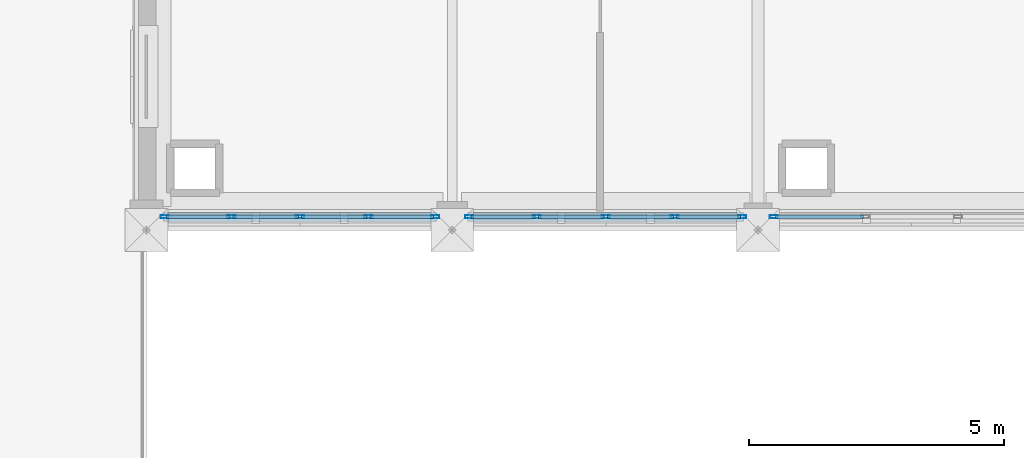
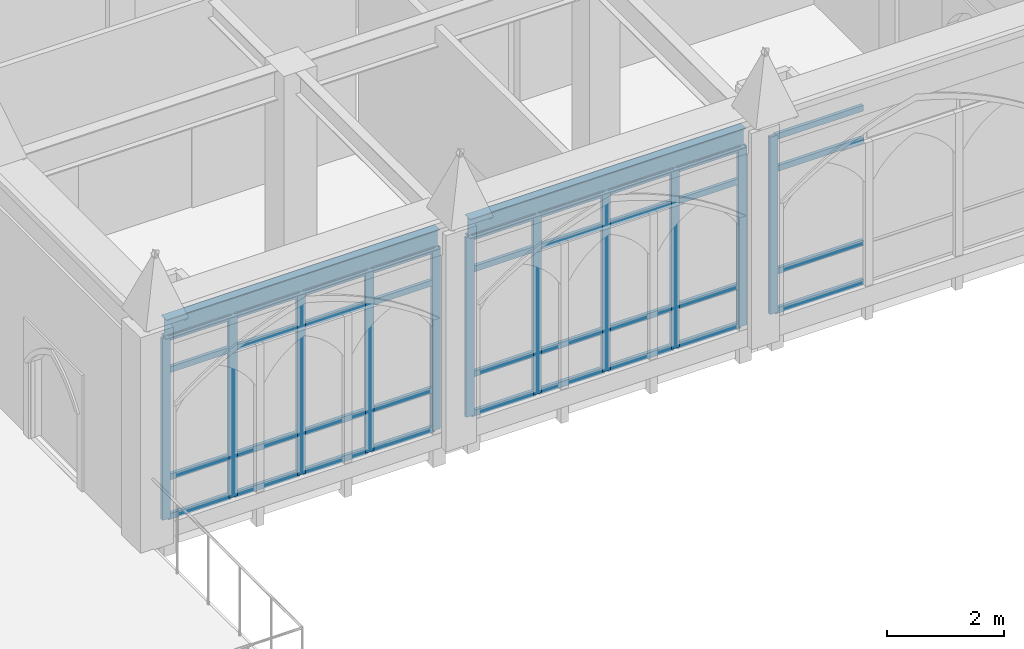
# One storey, part 42 of 143: 47 members, 2 beams, 3 elements without a shape of their own.
"""IFC4 building model written with IfcOpenShell, lengths in metres."""

from ifc_helpers import new_model, si_unit, direction, frame, origin, origin_2d, place, context, subcontext, project, spatial, hollow_rectangle, i_section, extrude, material, layer, layer_set, material_profile, profile_set, type_object, element, aggregate, save


model = new_model("IFC4")

# Units and contexts
model_context = context("Model", 3, precision=1e-05, world=origin(), true_north=direction((0.0, 1.0)))
body_context = subcontext(model_context, "Body", "Model", "MODEL_VIEW")
ifc_project = project(units=[si_unit("LENGTHUNIT", "METRE"), si_unit("AREAUNIT", "SQUARE_METRE"), si_unit("VOLUMEUNIT", "CUBIC_METRE"), si_unit("PLANEANGLEUNIT", "RADIAN"), si_unit("MASSUNIT", "GRAM", prefix="KILO")], contexts=[model_context])

# Site, building, storey
site_placement = place(None, origin())
site = spatial("IfcSite", under=ifc_project, at=site_placement, CompositionType="ELEMENT")
building_placement = place(site_placement, origin())
building = spatial("IfcBuilding", under=site, at=building_placement, Name="Cumevento Cable Car Station", CompositionType="ELEMENT")
storey_placement = place(building_placement, frame((0.0, 0.0, 9.0)))
storey = spatial("IfcBuildingStorey", under=building, at=storey_placement, Name="L03", CompositionType="ELEMENT", Elevation=9.0)

# Curtain wall, members
ifc_material_1 = material(Name="Anodised Bronze Aluminium AW-6063-T6", Category="aluminium")
ifc_layer_1 = layer(ifc_material_1, 0.22607421875)
ifc_layer_set_1 = layer_set([ifc_layer_1], Name="Anodised Bronze Aluminium AW-6063-T6")
curtain_wall_type_1 = type_object("IfcCurtainWallType", Name="Lancet Curtain Wall CW-12 1490", PredefinedType="NOTDEFINED", material=ifc_layer_set_1)
curtain_wall_1_placement = place(storey_placement, origin())
curtain_wall_1 = element("IfcCurtainWall", 1, at=curtain_wall_1_placement, inside=storey, type_object=curtain_wall_type_1, Name="Lancet Curtain Wall CW-12 L03 #123", PredefinedType="NOTDEFINED")
ifc_material_2 = material(Name="Anodised Bronze Aluminium AW-6063-T6", Category="aluminium")
ifc_material_profile_1 = material_profile(ifc_material_2, hollow_rectangle(XDim=0.06494140625, YDim=0.159912109375, WallThickness=0.00390625, at=origin_2d()), Name="ALUM65x160x4")
ifc_profile_set_1 = profile_set([ifc_material_profile_1], Name="Anodised Bronze Aluminium AW-6063-T6")
member_type_1 = type_object("IfcMemberType", Name="Curtain Mullion CWM-01 ALUM65x160x4", PredefinedType="MULLION", material=ifc_profile_set_1)
member_1_placement = place(storey_placement, frame((123.66748046875, 9.5, 0.31005859375), z_axis=(0.0, 0.0, 1.0), x_axis=(0.0, -1.0, 0.0)))
member_1 = element("IfcMember", 2, at=member_1_placement, type_object=member_type_1, Name="CW-12 mullion 1", PredefinedType="MULLION", context=body_context, shape_type="SweptSolid", body=[
    extrude(hollow_rectangle(XDim=0.06494140625, YDim=0.159912109375, WallThickness=0.00390625, at=origin_2d()), origin(), (0.0, 0.0, 1.0), 3.782958984375),
])
member_2_placement = place(storey_placement, frame((122.356201171875, 9.5, 0.31005859375), z_axis=(0.0, 0.0, 1.0), x_axis=(0.0, -1.0, 0.0)))
member_2 = element("IfcMember", 3, at=member_2_placement, type_object=member_type_1, Name="CW-12 mullion 2", PredefinedType="MULLION", context=body_context, shape_type="SweptSolid", body=[
    extrude(hollow_rectangle(XDim=0.06494140625, YDim=0.159912109375, WallThickness=0.00390625, at=origin_2d()), origin(), (0.0, 0.0, 1.0), 3.782958984375),
])
member_3_placement = place(storey_placement, frame((121.012451171875, 9.5, 0.31005859375), z_axis=(0.0, 0.0, 1.0), x_axis=(0.0, -1.0, 0.0)))
member_3 = element("IfcMember", 4, at=member_3_placement, type_object=member_type_1, Name="CW-12 mullion 3", PredefinedType="MULLION", context=body_context, shape_type="SweptSolid", body=[
    extrude(hollow_rectangle(XDim=0.06494140625, YDim=0.159912109375, WallThickness=0.00390625, at=origin_2d()), origin(), (0.0, 0.0, 1.0), 3.782958984375),
])
member_4_placement = place(storey_placement, frame((119.668701171875, 9.5, 0.31005859375), z_axis=(0.0, 0.0, 1.0), x_axis=(0.0, -1.0, 0.0)))
member_4 = element("IfcMember", 5, at=member_4_placement, type_object=member_type_1, Name="CW-12 mullion 4", PredefinedType="MULLION", context=body_context, shape_type="SweptSolid", body=[
    extrude(hollow_rectangle(XDim=0.06494140625, YDim=0.159912109375, WallThickness=0.00390625, at=origin_2d()), origin(), (0.0, 0.0, 1.0), 3.782958984375),
])
member_5_placement = place(storey_placement, frame((118.357421875, 9.5, 0.31005859375), z_axis=(0.0, 0.0, 1.0), x_axis=(0.0, -1.0, 0.0)))
member_5 = element("IfcMember", 6, at=member_5_placement, type_object=member_type_1, Name="CW-12 mullion 5", PredefinedType="MULLION", context=body_context, shape_type="SweptSolid", body=[
    extrude(hollow_rectangle(XDim=0.06494140625, YDim=0.159912109375, WallThickness=0.00390625, at=origin_2d()), origin(), (0.0, 0.0, 1.0), 3.782958984375),
])

ifc_material_3 = material(Name="Anodised Bronze Aluminium AW-6063-T6", Category="aluminium")
ifc_layer_2 = layer(ifc_material_3, 0.23193359375)
ifc_layer_set_2 = layer_set([ifc_layer_2], Name="Anodised Bronze Aluminium AW-6063-T6")
curtain_wall_type_2 = type_object("IfcCurtainWallType", Name="Lancet Curtain Wall CW-13 1530", PredefinedType="NOTDEFINED", material=ifc_layer_set_2)
curtain_wall_2_placement = place(storey_placement, origin())
curtain_wall_2 = element("IfcCurtainWall", 7, at=curtain_wall_2_placement, inside=storey, type_object=curtain_wall_type_2, Name="Lancet Curtain Wall CW-13 L03 #124", PredefinedType="NOTDEFINED")
member_6_placement = place(storey_placement, frame((129.6923828125, 9.5, 0.360107421875), z_axis=(0.0, 0.0, 1.0), x_axis=(0.0, -1.0, 0.0)))
member_6 = element("IfcMember", 8, at=member_6_placement, type_object=member_type_1, Name="CW-13 mullion 1", PredefinedType="MULLION", context=body_context, shape_type="SweptSolid", body=[
    extrude(hollow_rectangle(XDim=0.06494140625, YDim=0.159912109375, WallThickness=0.00390625, at=origin_2d()), origin(), (0.0, 0.0, 1.0), 3.73291015625),
])
member_7_placement = place(storey_placement, frame((128.36865234375, 9.5, 0.360107421875), z_axis=(0.0, 0.0, 1.0), x_axis=(0.0, -1.0, 0.0)))
member_7 = element("IfcMember", 9, at=member_7_placement, type_object=member_type_1, Name="CW-13 mullion 2", PredefinedType="MULLION", context=body_context, shape_type="SweptSolid", body=[
    extrude(hollow_rectangle(XDim=0.06494140625, YDim=0.159912109375, WallThickness=0.00390625, at=origin_2d()), origin(), (0.0, 0.0, 1.0), 3.73291015625),
])
member_8_placement = place(storey_placement, frame((127.012451171875, 9.5, 0.360107421875), z_axis=(0.0, 0.0, 1.0), x_axis=(0.0, -1.0, 0.0)))
member_8 = element("IfcMember", 10, at=member_8_placement, type_object=member_type_1, Name="CW-13 mullion 3", PredefinedType="MULLION", context=body_context, shape_type="SweptSolid", body=[
    extrude(hollow_rectangle(XDim=0.06494140625, YDim=0.159912109375, WallThickness=0.00390625, at=origin_2d()), origin(), (0.0, 0.0, 1.0), 3.73291015625),
])
member_9_placement = place(storey_placement, frame((125.65625, 9.5, 0.360107421875), z_axis=(0.0, 0.0, 1.0), x_axis=(0.0, -1.0, 0.0)))
member_9 = element("IfcMember", 11, at=member_9_placement, type_object=member_type_1, Name="CW-13 mullion 4", PredefinedType="MULLION", context=body_context, shape_type="SweptSolid", body=[
    extrude(hollow_rectangle(XDim=0.06494140625, YDim=0.159912109375, WallThickness=0.00390625, at=origin_2d()), origin(), (0.0, 0.0, 1.0), 3.73291015625),
])
member_10_placement = place(storey_placement, frame((124.33251953125, 9.5, 0.360107421875), z_axis=(0.0, 0.0, 1.0), x_axis=(0.0, -1.0, 0.0)))
member_10 = element("IfcMember", 12, at=member_10_placement, type_object=member_type_1, Name="CW-13 mullion 5", PredefinedType="MULLION", context=body_context, shape_type="SweptSolid", body=[
    extrude(hollow_rectangle(XDim=0.06494140625, YDim=0.159912109375, WallThickness=0.00390625, at=origin_2d()), origin(), (0.0, 0.0, 1.0), 3.73291015625),
])

# Curtain wall, member
ifc_material_4 = material(Name="Anodised Bronze Aluminium AW-6063-T6", Category="aluminium")
ifc_layer_3 = layer(ifc_material_4, 0.238037109375)
ifc_layer_set_3 = layer_set([ifc_layer_3], Name="Anodised Bronze Aluminium AW-6063-T6")
curtain_wall_type_3 = type_object("IfcCurtainWallType", Name="Lancet Curtain Wall CW-14 1570", PredefinedType="NOTDEFINED", material=ifc_layer_set_3)
curtain_wall_3_placement = place(storey_placement, origin())
curtain_wall_3 = element("IfcCurtainWall", 13, at=curtain_wall_3_placement, inside=storey, type_object=curtain_wall_type_3, Name="Lancet Curtain Wall CW-14 L03 #125", PredefinedType="NOTDEFINED")
member_11_placement = place(storey_placement, frame((130.3076171875, 9.5, 0.409912109375), z_axis=(0.0, 0.0, 1.0), x_axis=(0.0, -1.0, 0.0)))
member_11 = element("IfcMember", 14, at=member_11_placement, type_object=member_type_1, Name="CW-14 mullion 4", PredefinedType="MULLION", context=body_context, shape_type="SweptSolid", body=[
    extrude(hollow_rectangle(XDim=0.06494140625, YDim=0.159912109375, WallThickness=0.00390625, at=origin_2d()), origin(), (0.0, 0.0, 1.0), 3.68310546875),
])

# Member
ifc_material_5 = material(Name="Anodised Bronze Aluminium AW-6063-T6", Category="aluminium")
ifc_material_profile_2 = material_profile(ifc_material_5, hollow_rectangle(XDim=0.06494140625, YDim=0.1201171875, WallThickness=0.00390625, at=origin_2d()), Name="ALUT65x120x4")
ifc_profile_set_2 = profile_set([ifc_material_profile_2], Name="Anodised Bronze Aluminium AW-6063-T6")
member_type_2 = type_object("IfcMemberType", Name="Curtain Transom CWT-01 ALUT65x120x4", PredefinedType="USERDEFINED", material=ifc_profile_set_2)
member_12_placement = place(storey_placement, frame((123.635009765625, 9.5, 0.342529296875), z_axis=(-1.0, 0.0, 0.0), x_axis=(0.0, -1.0, 0.0)))
member_12 = element("IfcMember", 15, at=member_12_placement, type_object=member_type_2, Name="CW-12 transom 1.1", ObjectType="TRANSOM", PredefinedType="USERDEFINED", context=body_context, shape_type="SweptSolid", body=[
    extrude(hollow_rectangle(XDim=0.06494140625, YDim=0.1201171875, WallThickness=0.00390625, at=origin_2d()), origin(), (0.0, 0.0, 1.0), 1.246337890625),
])

member_13_placement = place(storey_placement, frame((123.635009765625, 9.5, 1.159912109375), z_axis=(-1.0, 0.0, 0.0), x_axis=(0.0, -1.0, 0.0)))
member_13 = element("IfcMember", 16, at=member_13_placement, type_object=member_type_2, Name="CW-12 transom 1.2", ObjectType="TRANSOM", PredefinedType="USERDEFINED", context=body_context, shape_type="SweptSolid", body=[
    extrude(hollow_rectangle(XDim=0.06494140625, YDim=0.1201171875, WallThickness=0.00390625, at=origin_2d()), origin(), (0.0, 0.0, 1.0), 1.246337890625),
])

member_14_placement = place(storey_placement, frame((123.635009765625, 9.5, 3.39306640625), z_axis=(-1.0, 0.0, 0.0), x_axis=(0.0, -1.0, 0.0)))
member_14 = element("IfcMember", 17, at=member_14_placement, type_object=member_type_2, Name="CW-12 transom 1.3", ObjectType="TRANSOM", PredefinedType="USERDEFINED", context=body_context, shape_type="SweptSolid", body=[
    extrude(hollow_rectangle(XDim=0.06494140625, YDim=0.1201171875, WallThickness=0.00390625, at=origin_2d()), origin(), (0.0, 0.0, 1.0), 1.246337890625),
])

member_15_placement = place(storey_placement, frame((123.635009765625, 9.5, 4.060546875), z_axis=(-1.0, 0.0, 0.0), x_axis=(0.0, -1.0, 0.0)))
member_15 = element("IfcMember", 18, at=member_15_placement, type_object=member_type_2, Name="CW-12 transom 1.4", ObjectType="TRANSOM", PredefinedType="USERDEFINED", context=body_context, shape_type="SweptSolid", body=[
    extrude(hollow_rectangle(XDim=0.06494140625, YDim=0.1201171875, WallThickness=0.00390625, at=origin_2d()), origin(), (0.0, 0.0, 1.0), 1.246337890625),
])

member_16_placement = place(storey_placement, frame((122.32373046875, 9.5, 0.342529296875), z_axis=(-1.0, 0.0, 0.0), x_axis=(0.0, -1.0, 0.0)))
member_16 = element("IfcMember", 19, at=member_16_placement, type_object=member_type_2, Name="CW-12 transom 2.1", ObjectType="TRANSOM", PredefinedType="USERDEFINED", context=body_context, shape_type="SweptSolid", body=[
    extrude(hollow_rectangle(XDim=0.06494140625, YDim=0.1201171875, WallThickness=0.00390625, at=origin_2d()), origin(), (0.0, 0.0, 1.0), 1.27880859375),
])

member_17_placement = place(storey_placement, frame((122.32373046875, 9.5, 1.159912109375), z_axis=(-1.0, 0.0, 0.0), x_axis=(0.0, -1.0, 0.0)))
member_17 = element("IfcMember", 20, at=member_17_placement, type_object=member_type_2, Name="CW-12 transom 2.2", ObjectType="TRANSOM", PredefinedType="USERDEFINED", context=body_context, shape_type="SweptSolid", body=[
    extrude(hollow_rectangle(XDim=0.06494140625, YDim=0.1201171875, WallThickness=0.00390625, at=origin_2d()), origin(), (0.0, 0.0, 1.0), 1.27880859375),
])

member_18_placement = place(storey_placement, frame((122.32373046875, 9.5, 3.39306640625), z_axis=(-1.0, 0.0, 0.0), x_axis=(0.0, -1.0, 0.0)))
member_18 = element("IfcMember", 21, at=member_18_placement, type_object=member_type_2, Name="CW-12 transom 2.3", ObjectType="TRANSOM", PredefinedType="USERDEFINED", context=body_context, shape_type="SweptSolid", body=[
    extrude(hollow_rectangle(XDim=0.06494140625, YDim=0.1201171875, WallThickness=0.00390625, at=origin_2d()), origin(), (0.0, 0.0, 1.0), 1.27880859375),
])

member_19_placement = place(storey_placement, frame((122.32373046875, 9.5, 4.060546875), z_axis=(-1.0, 0.0, 0.0), x_axis=(0.0, -1.0, 0.0)))
member_19 = element("IfcMember", 22, at=member_19_placement, type_object=member_type_2, Name="CW-12 transom 2.4", ObjectType="TRANSOM", PredefinedType="USERDEFINED", context=body_context, shape_type="SweptSolid", body=[
    extrude(hollow_rectangle(XDim=0.06494140625, YDim=0.1201171875, WallThickness=0.00390625, at=origin_2d()), origin(), (0.0, 0.0, 1.0), 1.27880859375),
])

member_20_placement = place(storey_placement, frame((120.97998046875, 9.5, 0.342529296875), z_axis=(-1.0, 0.0, 0.0), x_axis=(0.0, -1.0, 0.0)))
member_20 = element("IfcMember", 23, at=member_20_placement, type_object=member_type_2, Name="CW-12 transom 3.1", ObjectType="TRANSOM", PredefinedType="USERDEFINED", context=body_context, shape_type="SweptSolid", body=[
    extrude(hollow_rectangle(XDim=0.06494140625, YDim=0.1201171875, WallThickness=0.00390625, at=origin_2d()), origin(), (0.0, 0.0, 1.0), 1.27880859375),
])

member_21_placement = place(storey_placement, frame((120.97998046875, 9.5, 1.159912109375), z_axis=(-1.0, 0.0, 0.0), x_axis=(0.0, -1.0, 0.0)))
member_21 = element("IfcMember", 24, at=member_21_placement, type_object=member_type_2, Name="CW-12 transom 3.2", ObjectType="TRANSOM", PredefinedType="USERDEFINED", context=body_context, shape_type="SweptSolid", body=[
    extrude(hollow_rectangle(XDim=0.06494140625, YDim=0.1201171875, WallThickness=0.00390625, at=origin_2d()), origin(), (0.0, 0.0, 1.0), 1.27880859375),
])

member_22_placement = place(storey_placement, frame((120.97998046875, 9.5, 3.39306640625), z_axis=(-1.0, 0.0, 0.0), x_axis=(0.0, -1.0, 0.0)))
member_22 = element("IfcMember", 25, at=member_22_placement, type_object=member_type_2, Name="CW-12 transom 3.3", ObjectType="TRANSOM", PredefinedType="USERDEFINED", context=body_context, shape_type="SweptSolid", body=[
    extrude(hollow_rectangle(XDim=0.06494140625, YDim=0.1201171875, WallThickness=0.00390625, at=origin_2d()), origin(), (0.0, 0.0, 1.0), 1.27880859375),
])

member_23_placement = place(storey_placement, frame((120.97998046875, 9.5, 4.060546875), z_axis=(-1.0, 0.0, 0.0), x_axis=(0.0, -1.0, 0.0)))
member_23 = element("IfcMember", 26, at=member_23_placement, type_object=member_type_2, Name="CW-12 transom 3.4", ObjectType="TRANSOM", PredefinedType="USERDEFINED", context=body_context, shape_type="SweptSolid", body=[
    extrude(hollow_rectangle(XDim=0.06494140625, YDim=0.1201171875, WallThickness=0.00390625, at=origin_2d()), origin(), (0.0, 0.0, 1.0), 1.27880859375),
])

member_24_placement = place(storey_placement, frame((119.63623046875, 9.5, 0.342529296875), z_axis=(-1.0, 0.0, 0.0), x_axis=(0.0, -1.0, 0.0)))
member_24 = element("IfcMember", 27, at=member_24_placement, type_object=member_type_2, Name="CW-12 transom 4.1", ObjectType="TRANSOM", PredefinedType="USERDEFINED", context=body_context, shape_type="SweptSolid", body=[
    extrude(hollow_rectangle(XDim=0.06494140625, YDim=0.1201171875, WallThickness=0.00390625, at=origin_2d()), origin(), (0.0, 0.0, 1.0), 1.246337890625),
])

member_25_placement = place(storey_placement, frame((119.63623046875, 9.5, 1.159912109375), z_axis=(-1.0, 0.0, 0.0), x_axis=(0.0, -1.0, 0.0)))
member_25 = element("IfcMember", 28, at=member_25_placement, type_object=member_type_2, Name="CW-12 transom 4.2", ObjectType="TRANSOM", PredefinedType="USERDEFINED", context=body_context, shape_type="SweptSolid", body=[
    extrude(hollow_rectangle(XDim=0.06494140625, YDim=0.1201171875, WallThickness=0.00390625, at=origin_2d()), origin(), (0.0, 0.0, 1.0), 1.246337890625),
])

member_26_placement = place(storey_placement, frame((119.63623046875, 9.5, 3.39306640625), z_axis=(-1.0, 0.0, 0.0), x_axis=(0.0, -1.0, 0.0)))
member_26 = element("IfcMember", 29, at=member_26_placement, type_object=member_type_2, Name="CW-12 transom 4.3", ObjectType="TRANSOM", PredefinedType="USERDEFINED", context=body_context, shape_type="SweptSolid", body=[
    extrude(hollow_rectangle(XDim=0.06494140625, YDim=0.1201171875, WallThickness=0.00390625, at=origin_2d()), origin(), (0.0, 0.0, 1.0), 1.246337890625),
])

member_27_placement = place(storey_placement, frame((119.63623046875, 9.5, 4.060546875), z_axis=(-1.0, 0.0, 0.0), x_axis=(0.0, -1.0, 0.0)))
member_27 = element("IfcMember", 30, at=member_27_placement, type_object=member_type_2, Name="CW-12 transom 4.4", ObjectType="TRANSOM", PredefinedType="USERDEFINED", context=body_context, shape_type="SweptSolid", body=[
    extrude(hollow_rectangle(XDim=0.06494140625, YDim=0.1201171875, WallThickness=0.00390625, at=origin_2d()), origin(), (0.0, 0.0, 1.0), 1.246337890625),
])

aggregate(curtain_wall_1, [member_1, member_2, member_3, member_4, member_5, member_12, member_13, member_14, member_15, member_16, member_17, member_18, member_19, member_20, member_21, member_22, member_23, member_24, member_25, member_26, member_27])

member_28_placement = place(storey_placement, frame((129.659912109375, 9.5, 0.392578125), z_axis=(-1.0, 0.0, 0.0), x_axis=(0.0, -1.0, 0.0)))
member_28 = element("IfcMember", 31, at=member_28_placement, type_object=member_type_2, Name="CW-13 transom 1.1", ObjectType="TRANSOM", PredefinedType="USERDEFINED", context=body_context, shape_type="SweptSolid", body=[
    extrude(hollow_rectangle(XDim=0.06494140625, YDim=0.1201171875, WallThickness=0.00390625, at=origin_2d()), origin(), (0.0, 0.0, 1.0), 1.258544921875),
])

member_29_placement = place(storey_placement, frame((129.659912109375, 9.5, 1.2099609375), z_axis=(-1.0, 0.0, 0.0), x_axis=(0.0, -1.0, 0.0)))
member_29 = element("IfcMember", 32, at=member_29_placement, type_object=member_type_2, Name="CW-13 transom 1.2", ObjectType="TRANSOM", PredefinedType="USERDEFINED", context=body_context, shape_type="SweptSolid", body=[
    extrude(hollow_rectangle(XDim=0.06494140625, YDim=0.1201171875, WallThickness=0.00390625, at=origin_2d()), origin(), (0.0, 0.0, 1.0), 1.258544921875),
])

member_30_placement = place(storey_placement, frame((129.659912109375, 9.5, 3.39306640625), z_axis=(-1.0, 0.0, 0.0), x_axis=(0.0, -1.0, 0.0)))
member_30 = element("IfcMember", 33, at=member_30_placement, type_object=member_type_2, Name="CW-13 transom 1.3", ObjectType="TRANSOM", PredefinedType="USERDEFINED", context=body_context, shape_type="SweptSolid", body=[
    extrude(hollow_rectangle(XDim=0.06494140625, YDim=0.1201171875, WallThickness=0.00390625, at=origin_2d()), origin(), (0.0, 0.0, 1.0), 1.258544921875),
])

member_31_placement = place(storey_placement, frame((129.659912109375, 9.5, 4.060546875), z_axis=(-1.0, 0.0, 0.0), x_axis=(0.0, -1.0, 0.0)))
member_31 = element("IfcMember", 34, at=member_31_placement, type_object=member_type_2, Name="CW-13 transom 1.4", ObjectType="TRANSOM", PredefinedType="USERDEFINED", context=body_context, shape_type="SweptSolid", body=[
    extrude(hollow_rectangle(XDim=0.06494140625, YDim=0.1201171875, WallThickness=0.00390625, at=origin_2d()), origin(), (0.0, 0.0, 1.0), 1.258544921875),
])

member_32_placement = place(storey_placement, frame((128.336181640625, 9.5, 0.392578125), z_axis=(-1.0, 0.0, 0.0), x_axis=(0.0, -1.0, 0.0)))
member_32 = element("IfcMember", 35, at=member_32_placement, type_object=member_type_2, Name="CW-13 transom 2.1", ObjectType="TRANSOM", PredefinedType="USERDEFINED", context=body_context, shape_type="SweptSolid", body=[
    extrude(hollow_rectangle(XDim=0.06494140625, YDim=0.1201171875, WallThickness=0.00390625, at=origin_2d()), origin(), (0.0, 0.0, 1.0), 1.291259765625),
])

member_33_placement = place(storey_placement, frame((128.336181640625, 9.5, 1.2099609375), z_axis=(-1.0, 0.0, 0.0), x_axis=(0.0, -1.0, 0.0)))
member_33 = element("IfcMember", 36, at=member_33_placement, type_object=member_type_2, Name="CW-13 transom 2.2", ObjectType="TRANSOM", PredefinedType="USERDEFINED", context=body_context, shape_type="SweptSolid", body=[
    extrude(hollow_rectangle(XDim=0.06494140625, YDim=0.1201171875, WallThickness=0.00390625, at=origin_2d()), origin(), (0.0, 0.0, 1.0), 1.291259765625),
])

member_34_placement = place(storey_placement, frame((128.336181640625, 9.5, 3.39306640625), z_axis=(-1.0, 0.0, 0.0), x_axis=(0.0, -1.0, 0.0)))
member_34 = element("IfcMember", 37, at=member_34_placement, type_object=member_type_2, Name="CW-13 transom 2.3", ObjectType="TRANSOM", PredefinedType="USERDEFINED", context=body_context, shape_type="SweptSolid", body=[
    extrude(hollow_rectangle(XDim=0.06494140625, YDim=0.1201171875, WallThickness=0.00390625, at=origin_2d()), origin(), (0.0, 0.0, 1.0), 1.291259765625),
])

member_35_placement = place(storey_placement, frame((128.336181640625, 9.5, 4.060546875), z_axis=(-1.0, 0.0, 0.0), x_axis=(0.0, -1.0, 0.0)))
member_35 = element("IfcMember", 38, at=member_35_placement, type_object=member_type_2, Name="CW-13 transom 2.4", ObjectType="TRANSOM", PredefinedType="USERDEFINED", context=body_context, shape_type="SweptSolid", body=[
    extrude(hollow_rectangle(XDim=0.06494140625, YDim=0.1201171875, WallThickness=0.00390625, at=origin_2d()), origin(), (0.0, 0.0, 1.0), 1.291259765625),
])

member_36_placement = place(storey_placement, frame((126.97998046875, 9.5, 0.392578125), z_axis=(-1.0, 0.0, 0.0), x_axis=(0.0, -1.0, 0.0)))
member_36 = element("IfcMember", 39, at=member_36_placement, type_object=member_type_2, Name="CW-13 transom 3.1", ObjectType="TRANSOM", PredefinedType="USERDEFINED", context=body_context, shape_type="SweptSolid", body=[
    extrude(hollow_rectangle(XDim=0.06494140625, YDim=0.1201171875, WallThickness=0.00390625, at=origin_2d()), origin(), (0.0, 0.0, 1.0), 1.291259765625),
])

member_37_placement = place(storey_placement, frame((126.97998046875, 9.5, 1.2099609375), z_axis=(-1.0, 0.0, 0.0), x_axis=(0.0, -1.0, 0.0)))
member_37 = element("IfcMember", 40, at=member_37_placement, type_object=member_type_2, Name="CW-13 transom 3.2", ObjectType="TRANSOM", PredefinedType="USERDEFINED", context=body_context, shape_type="SweptSolid", body=[
    extrude(hollow_rectangle(XDim=0.06494140625, YDim=0.1201171875, WallThickness=0.00390625, at=origin_2d()), origin(), (0.0, 0.0, 1.0), 1.291259765625),
])

member_38_placement = place(storey_placement, frame((126.97998046875, 9.5, 3.39306640625), z_axis=(-1.0, 0.0, 0.0), x_axis=(0.0, -1.0, 0.0)))
member_38 = element("IfcMember", 41, at=member_38_placement, type_object=member_type_2, Name="CW-13 transom 3.3", ObjectType="TRANSOM", PredefinedType="USERDEFINED", context=body_context, shape_type="SweptSolid", body=[
    extrude(hollow_rectangle(XDim=0.06494140625, YDim=0.1201171875, WallThickness=0.00390625, at=origin_2d()), origin(), (0.0, 0.0, 1.0), 1.291259765625),
])

member_39_placement = place(storey_placement, frame((126.97998046875, 9.5, 4.060546875), z_axis=(-1.0, 0.0, 0.0), x_axis=(0.0, -1.0, 0.0)))
member_39 = element("IfcMember", 42, at=member_39_placement, type_object=member_type_2, Name="CW-13 transom 3.4", ObjectType="TRANSOM", PredefinedType="USERDEFINED", context=body_context, shape_type="SweptSolid", body=[
    extrude(hollow_rectangle(XDim=0.06494140625, YDim=0.1201171875, WallThickness=0.00390625, at=origin_2d()), origin(), (0.0, 0.0, 1.0), 1.291259765625),
])

member_40_placement = place(storey_placement, frame((125.623779296875, 9.5, 0.392578125), z_axis=(-1.0, 0.0, 0.0), x_axis=(0.0, -1.0, 0.0)))
member_40 = element("IfcMember", 43, at=member_40_placement, type_object=member_type_2, Name="CW-13 transom 4.1", ObjectType="TRANSOM", PredefinedType="USERDEFINED", context=body_context, shape_type="SweptSolid", body=[
    extrude(hollow_rectangle(XDim=0.06494140625, YDim=0.1201171875, WallThickness=0.00390625, at=origin_2d()), origin(), (0.0, 0.0, 1.0), 1.2587890625),
])

member_41_placement = place(storey_placement, frame((125.623779296875, 9.5, 1.2099609375), z_axis=(-1.0, 0.0, 0.0), x_axis=(0.0, -1.0, 0.0)))
member_41 = element("IfcMember", 44, at=member_41_placement, type_object=member_type_2, Name="CW-13 transom 4.2", ObjectType="TRANSOM", PredefinedType="USERDEFINED", context=body_context, shape_type="SweptSolid", body=[
    extrude(hollow_rectangle(XDim=0.06494140625, YDim=0.1201171875, WallThickness=0.00390625, at=origin_2d()), origin(), (0.0, 0.0, 1.0), 1.2587890625),
])

member_42_placement = place(storey_placement, frame((125.623779296875, 9.5, 3.39306640625), z_axis=(-1.0, 0.0, 0.0), x_axis=(0.0, -1.0, 0.0)))
member_42 = element("IfcMember", 45, at=member_42_placement, type_object=member_type_2, Name="CW-13 transom 4.3", ObjectType="TRANSOM", PredefinedType="USERDEFINED", context=body_context, shape_type="SweptSolid", body=[
    extrude(hollow_rectangle(XDim=0.06494140625, YDim=0.1201171875, WallThickness=0.00390625, at=origin_2d()), origin(), (0.0, 0.0, 1.0), 1.2587890625),
])

member_43_placement = place(storey_placement, frame((125.623779296875, 9.5, 4.060546875), z_axis=(-1.0, 0.0, 0.0), x_axis=(0.0, -1.0, 0.0)))
member_43 = element("IfcMember", 46, at=member_43_placement, type_object=member_type_2, Name="CW-13 transom 4.4", ObjectType="TRANSOM", PredefinedType="USERDEFINED", context=body_context, shape_type="SweptSolid", body=[
    extrude(hollow_rectangle(XDim=0.06494140625, YDim=0.1201171875, WallThickness=0.00390625, at=origin_2d()), origin(), (0.0, 0.0, 1.0), 1.2587890625),
])

aggregate(curtain_wall_2, [member_6, member_7, member_8, member_9, member_10, member_28, member_29, member_30, member_31, member_32, member_33, member_34, member_35, member_36, member_37, member_38, member_39, member_40, member_41, member_42, member_43])

member_44_placement = place(storey_placement, frame((132.0673828125, 9.5, 0.4423828125), z_axis=(-1.0, 0.0, 0.0), x_axis=(0.0, -1.0, 0.0)))
member_44 = element("IfcMember", 47, at=member_44_placement, type_object=member_type_2, Name="CW-14 transom 3.1", ObjectType="TRANSOM", PredefinedType="USERDEFINED", context=body_context, shape_type="SweptSolid", body=[
    extrude(hollow_rectangle(XDim=0.06494140625, YDim=0.1201171875, WallThickness=0.00390625, at=origin_2d()), origin(), (0.0, 0.0, 1.0), 1.727294921875),
])

member_45_placement = place(storey_placement, frame((132.0673828125, 9.5, 1.260009765625), z_axis=(-1.0, 0.0, 0.0), x_axis=(0.0, -1.0, 0.0)))
member_45 = element("IfcMember", 48, at=member_45_placement, type_object=member_type_2, Name="CW-14 transom 3.2", ObjectType="TRANSOM", PredefinedType="USERDEFINED", context=body_context, shape_type="SweptSolid", body=[
    extrude(hollow_rectangle(XDim=0.06494140625, YDim=0.1201171875, WallThickness=0.00390625, at=origin_2d()), origin(), (0.0, 0.0, 1.0), 1.727294921875),
])

member_46_placement = place(storey_placement, frame((132.0673828125, 9.5, 3.39306640625), z_axis=(-1.0, 0.0, 0.0), x_axis=(0.0, -1.0, 0.0)))
member_46 = element("IfcMember", 49, at=member_46_placement, type_object=member_type_2, Name="CW-14 transom 3.3", ObjectType="TRANSOM", PredefinedType="USERDEFINED", context=body_context, shape_type="SweptSolid", body=[
    extrude(hollow_rectangle(XDim=0.06494140625, YDim=0.1201171875, WallThickness=0.00390625, at=origin_2d()), origin(), (0.0, 0.0, 1.0), 1.727294921875),
])

member_47_placement = place(storey_placement, frame((132.0673828125, 9.5, 4.060546875), z_axis=(-1.0, 0.0, 0.0), x_axis=(0.0, -1.0, 0.0)))
member_47 = element("IfcMember", 50, at=member_47_placement, type_object=member_type_2, Name="CW-14 transom 3.4", ObjectType="TRANSOM", PredefinedType="USERDEFINED", context=body_context, shape_type="SweptSolid", body=[
    extrude(hollow_rectangle(XDim=0.06494140625, YDim=0.1201171875, WallThickness=0.00390625, at=origin_2d()), origin(), (0.0, 0.0, 1.0), 1.727294921875),
])

aggregate(curtain_wall_3, [member_11, member_44, member_45, member_46, member_47])

# Beams
ifc_material_6 = material(Name="Steel ASTM A572 Grade 50", Category="steel")
ifc_material_profile_3 = material_profile(ifc_material_6, i_section(OverallWidth=0.177978515625, OverallDepth=0.406982421875, WebThickness=0.0078125, FlangeThickness=0.0126953125, at=origin_2d()), Name="W410x60.0")
ifc_profile_set_3 = profile_set([ifc_material_profile_3], Name="Steel ASTM A572 Grade 50")
beam_type = type_object("IfcBeamType", Name="Structural Spandrel SP-01 W410x60.0", PredefinedType="SPANDREL", material=ifc_profile_set_3)
beam_1_placement = place(storey_placement, frame((118.324951171875, 9.5, 4.29638671875), z_axis=(1.0, 0.0, 0.0), x_axis=(0.0, 1.0, 0.0)))
element("IfcBeam", 51, at=beam_1_placement, inside=storey, type_object=beam_type, Name="Beam SP-01 L03 #1122", PredefinedType="SPANDREL", context=body_context, shape_type="SweptSolid", body=[
    extrude(i_section(OverallWidth=0.177978515625, OverallDepth=0.406982421875, WebThickness=0.0078125, FlangeThickness=0.0126953125, at=origin_2d()), origin(), (0.0, 0.0, 1.0), 5.375),
])
beam_2_placement = place(storey_placement, frame((124.300048828125, 9.5, 4.29638671875), z_axis=(1.0, 0.0, 0.0), x_axis=(0.0, 1.0, 0.0)))
element("IfcBeam", 52, at=beam_2_placement, inside=storey, type_object=beam_type, Name="Beam SP-01 L03 #1123", PredefinedType="SPANDREL", context=body_context, shape_type="SweptSolid", body=[
    extrude(i_section(OverallWidth=0.177978515625, OverallDepth=0.406982421875, WebThickness=0.0078125, FlangeThickness=0.0126953125, at=origin_2d()), origin(), (0.0, 0.0, 1.0), 5.425048828125),
])

save(model, "model.ifc")
